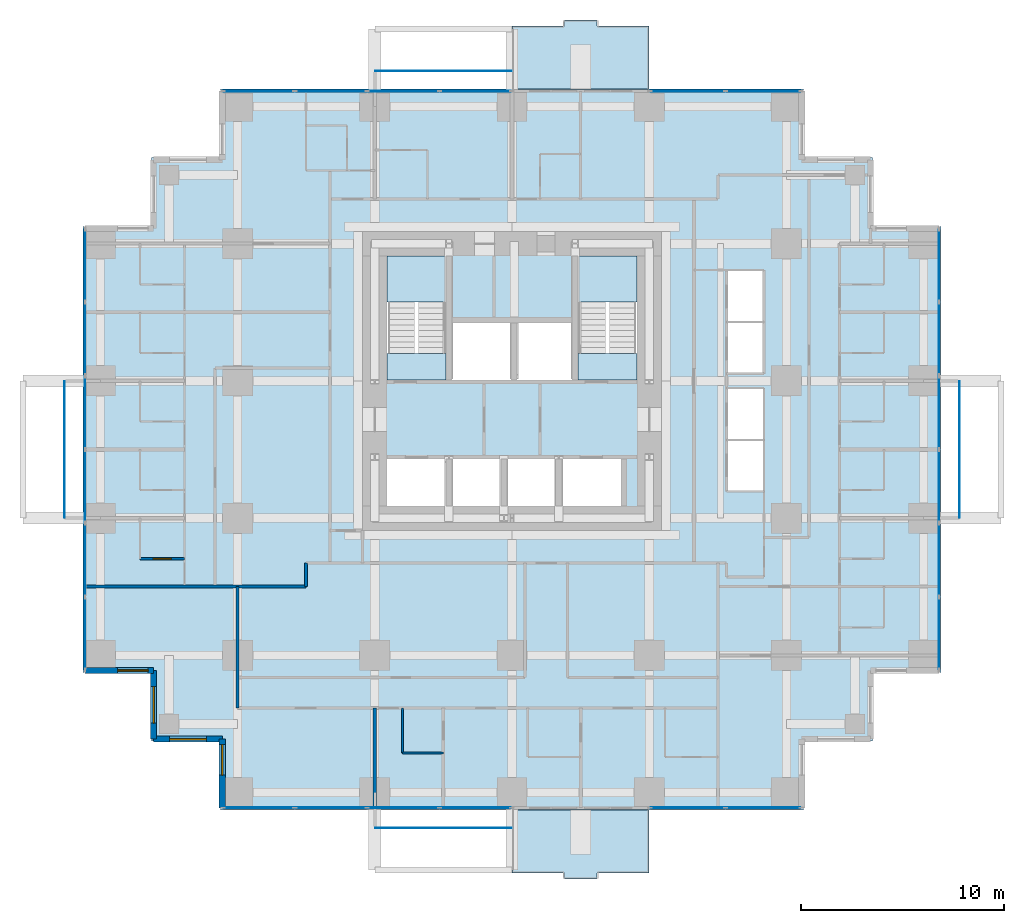
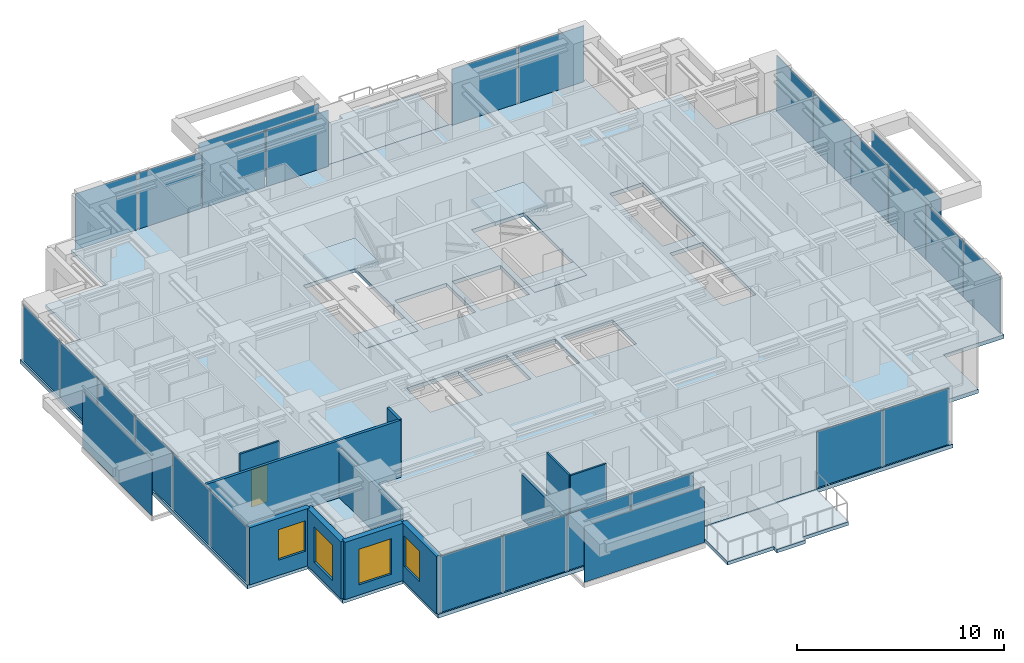
# One storey, part 6 of 12: 28 plates, 11 walls, 7 slabs, 4 windows, 1 door, 5 openings, 8 elements without a shape of their own.
"""IFC4 building model written with IfcOpenShell, lengths in metres."""

from ifc_helpers import new_model, si_unit, direction, frame, frame_2d, origin, origin_2d, place, context, subcontext, project, spatial, polyline, rectangle, outline, extrude, material, layer, layer_set, type_object, element, fill, aggregate, save


model = new_model("IFC4")

# Units and contexts
model_context = context("Model", 3, precision=1e-05, world=origin(), true_north=direction((0.0, 1.0)))
body_context = subcontext(model_context, "Body", "Model", "MODEL_VIEW")
ifc_project = project(units=[si_unit("LENGTHUNIT", "METRE"), si_unit("AREAUNIT", "SQUARE_METRE"), si_unit("VOLUMEUNIT", "CUBIC_METRE"), si_unit("PLANEANGLEUNIT", "RADIAN"), si_unit("MASSUNIT", "GRAM", prefix="KILO")], contexts=[model_context])

# Site, building, storey
site_placement = place(None, origin())
site = spatial("IfcSite", under=ifc_project, at=site_placement, CompositionType="ELEMENT")
building_placement = place(site_placement, origin())
building = spatial("IfcBuilding", under=site, at=building_placement, Name="Nyansa Garden Tower", CompositionType="ELEMENT")
storey_placement = place(building_placement, frame((0.0, 0.0, 126.89990234375)))
storey = spatial("IfcBuildingStorey", under=building, at=storey_placement, Name="L34", CompositionType="ELEMENT", Elevation=126.89990234375)

# Slabs
ifc_material_1 = material(Name="Concrete C40/50", Category="concrete")
ifc_layer_1 = layer(ifc_material_1, 0.199951171875)
ifc_layer_set_1 = layer_set([ifc_layer_1], Name="Balcony slab BS200")
slab_type_1 = type_object("IfcSlabType", Name="Balcony slab BS200", PredefinedType="FLOOR", material=ifc_layer_set_1)
slab_1_placement = place(storey_placement, frame((0.0, 0.0, -0.239990234375)))
element("IfcSlab", 1, at=slab_1_placement, inside=storey, type_object=slab_type_1, Name="Balcony L34 S", PredefinedType="FLOOR", context=body_context, shape_type="SweptSolid", body=[
    extrude(outline(polyline([(20.25, -0.85009765625), (27.0, -0.85009765625), (27.0, -3.949951171875), (24.425048828125, -3.949951171875), (24.425048828125, -4.25), (22.824951171875, -4.25), (22.824951171875, -3.949951171875), (20.25, -3.949951171875), (20.25, -0.85009765625)])), origin(), (0.0, 0.0, 1.0), 0.2001953125),
])
slab_2_placement = place(storey_placement, frame((0.0, 0.0, -0.239990234375)))
element("IfcSlab", 2, at=slab_2_placement, inside=storey, type_object=slab_type_1, Name="Balcony L34 N", PredefinedType="FLOOR", context=body_context, shape_type="SweptSolid", body=[
    extrude(outline(polyline([(20.25, 34.60009765625), (27.0, 34.60009765625), (27.0, 37.699951171875), (24.425048828125, 37.699951171875), (24.425048828125, 38.0), (22.824951171875, 38.0), (22.824951171875, 37.699951171875), (20.25, 37.699951171875), (20.25, 34.60009765625)])), origin(), (0.0, 0.0, 1.0), 0.2001953125),
])

# Curtain wall, plates
ifc_material_2 = material(Name="Black anodised aluminium, dark tinted double glazing", Category="aluminium")
curtain_wall_type = type_object("IfcCurtainWallType", Name="Inner skin curtain wall ISW-B", PredefinedType="USERDEFINED", material=ifc_material_2)
curtain_wall_1_placement = place(storey_placement, origin())
curtain_wall_1 = element("IfcCurtainWall", 3, at=curtain_wall_1_placement, inside=storey, type_object=curtain_wall_type, Name="Inner skin curtain wall L34 E", ObjectType="UNITISED CURTAIN WALL", PredefinedType="USERDEFINED")
ifc_material_3 = material(Name="Dark tinted laminated double glazing", Category="glass")
ifc_layer_2 = layer(ifc_material_3, 0.035888671875)
ifc_layer_set_2 = layer_set([ifc_layer_2], Name="Dark tinted vision panel VP-B")
plate_type_1 = type_object("IfcPlateType", Name="Dark tinted vision panel VP-B", PredefinedType="CURTAIN_PANEL", material=ifc_layer_set_2)
plate_1_placement = place(storey_placement, frame((41.25, 7.828857421875, 0.0), z_axis=(0.0, 0.0, 1.0), x_axis=(0.0, 1.0, 0.0)))
plate_1 = element("IfcPlate", 4, at=plate_1_placement, type_object=plate_type_1, Name="ISW-B panel 1", PredefinedType="CURTAIN_PANEL", context=body_context, shape_type="SweptSolid", body=[
    extrude(rectangle(XDim=3.527587890625, YDim=0.035888671875, at=origin_2d()), origin(), (0.0, 0.0, 1.0), 3.31005859375),
])
plate_2_placement = place(storey_placement, frame((41.25, 11.4375, 0.0), z_axis=(0.0, 0.0, 1.0), x_axis=(0.0, 1.0, 0.0)))
plate_2 = element("IfcPlate", 5, at=plate_2_placement, type_object=plate_type_1, Name="ISW-B panel 2", PredefinedType="CURTAIN_PANEL", context=body_context, shape_type="SweptSolid", body=[
    extrude(rectangle(XDim=3.56005859375, YDim=0.035888671875, at=origin_2d()), origin(), (0.0, 0.0, 1.0), 3.31005859375),
])
plate_3_placement = place(storey_placement, frame((41.25, 15.0625, 0.0), z_axis=(0.0, 0.0, 1.0), x_axis=(0.0, 1.0, 0.0)))
plate_3 = element("IfcPlate", 6, at=plate_3_placement, type_object=plate_type_1, Name="ISW-B panel 3", PredefinedType="CURTAIN_PANEL", context=body_context, shape_type="SweptSolid", body=[
    extrude(rectangle(XDim=3.56005859375, YDim=0.035888671875, at=origin_2d()), origin(), (0.0, 0.0, 1.0), 3.31005859375),
])
plate_4_placement = place(storey_placement, frame((41.25, 18.6875, 0.0), z_axis=(0.0, 0.0, 1.0), x_axis=(0.0, 1.0, 0.0)))
plate_4 = element("IfcPlate", 7, at=plate_4_placement, type_object=plate_type_1, Name="ISW-B panel 4", PredefinedType="CURTAIN_PANEL", context=body_context, shape_type="SweptSolid", body=[
    extrude(rectangle(XDim=3.56005859375, YDim=0.035888671875, at=origin_2d()), origin(), (0.0, 0.0, 1.0), 3.31005859375),
])
plate_5_placement = place(storey_placement, frame((41.25, 22.3125, 0.0), z_axis=(0.0, 0.0, 1.0), x_axis=(0.0, 1.0, 0.0)))
plate_5 = element("IfcPlate", 8, at=plate_5_placement, type_object=plate_type_1, Name="ISW-B panel 5", PredefinedType="CURTAIN_PANEL", context=body_context, shape_type="SweptSolid", body=[
    extrude(rectangle(XDim=3.56005859375, YDim=0.035888671875, at=origin_2d()), origin(), (0.0, 0.0, 1.0), 3.31005859375),
])
plate_6_placement = place(storey_placement, frame((41.25, 25.921142578125, 0.0), z_axis=(0.0, 0.0, 1.0), x_axis=(0.0, 1.0, 0.0)))
plate_6 = element("IfcPlate", 9, at=plate_6_placement, type_object=plate_type_1, Name="ISW-B panel 6", PredefinedType="CURTAIN_PANEL", context=body_context, shape_type="SweptSolid", body=[
    extrude(rectangle(XDim=3.527587890625, YDim=0.035888671875, at=origin_2d()), origin(), (0.0, 0.0, 1.0), 3.31005859375),
])
aggregate(curtain_wall_1, [plate_1, plate_2, plate_3, plate_4, plate_5, plate_6])

curtain_wall_2_placement = place(storey_placement, origin())
curtain_wall_2 = element("IfcCurtainWall", 10, at=curtain_wall_2_placement, inside=storey, type_object=curtain_wall_type, Name="Inner skin curtain wall L34 N", ObjectType="UNITISED CURTAIN WALL", PredefinedType="USERDEFINED")
plate_7_placement = place(storey_placement, frame((18.452392578125, 34.5, 0.0), z_axis=(0.0, 0.0, 1.0), x_axis=(-1.0, 0.0, 0.0)))
plate_7 = element("IfcPlate", 11, at=plate_7_placement, type_object=plate_type_1, Name="ISW-B panel 1", PredefinedType="CURTAIN_PANEL", context=body_context, shape_type="SweptSolid", body=[
    extrude(rectangle(XDim=3.465087890625, YDim=0.035888671875, at=origin_2d()), origin(), (0.0, 0.0, 1.0), 3.31005859375),
])
plate_8_placement = place(storey_placement, frame((14.90625, 34.5, 0.0), z_axis=(0.0, 0.0, 1.0), x_axis=(-1.0, 0.0, 0.0)))
plate_8 = element("IfcPlate", 12, at=plate_8_placement, type_object=plate_type_1, Name="ISW-B panel 2", PredefinedType="CURTAIN_PANEL", context=body_context, shape_type="SweptSolid", body=[
    extrude(rectangle(XDim=3.49755859375, YDim=0.035888671875, at=origin_2d()), origin(), (0.0, 0.0, 1.0), 3.31005859375),
])
plate_9_placement = place(storey_placement, frame((11.34375, 34.5, 0.0), z_axis=(0.0, 0.0, 1.0), x_axis=(-1.0, 0.0, 0.0)))
plate_9 = element("IfcPlate", 13, at=plate_9_placement, type_object=plate_type_1, Name="ISW-B panel 3", PredefinedType="CURTAIN_PANEL", context=body_context, shape_type="SweptSolid", body=[
    extrude(rectangle(XDim=3.49755859375, YDim=0.035888671875, at=origin_2d()), origin(), (0.0, 0.0, 1.0), 3.31005859375),
])
plate_10_placement = place(storey_placement, frame((7.797607421875, 34.5, 0.0), z_axis=(0.0, 0.0, 1.0), x_axis=(-1.0, 0.0, 0.0)))
plate_10 = element("IfcPlate", 14, at=plate_10_placement, type_object=plate_type_1, Name="ISW-B panel 4", PredefinedType="CURTAIN_PANEL", context=body_context, shape_type="SweptSolid", body=[
    extrude(rectangle(XDim=3.465087890625, YDim=0.035888671875, at=origin_2d()), origin(), (0.0, 0.0, 1.0), 3.31005859375),
])
aggregate(curtain_wall_2, [plate_7, plate_8, plate_9, plate_10])

curtain_wall_3_placement = place(storey_placement, origin())
curtain_wall_3 = element("IfcCurtainWall", 15, at=curtain_wall_3_placement, inside=storey, type_object=curtain_wall_type, Name="Inner skin curtain wall L34 N", ObjectType="UNITISED CURTAIN WALL", PredefinedType="USERDEFINED")
plate_11_placement = place(storey_placement, frame((32.608642578125, 34.5, 0.0), z_axis=(0.0, 0.0, 1.0), x_axis=(-1.0, 0.0, 0.0)))
plate_11 = element("IfcPlate", 16, at=plate_11_placement, type_object=plate_type_1, Name="ISW-B panel 1", PredefinedType="CURTAIN_PANEL", context=body_context, shape_type="SweptSolid", body=[
    extrude(rectangle(XDim=3.652587890625, YDim=0.035888671875, at=origin_2d()), origin(), (0.0, 0.0, 1.0), 3.31005859375),
])
plate_12_placement = place(storey_placement, frame((28.891357421875, 34.5, 0.0), z_axis=(0.0, 0.0, 1.0), x_axis=(-1.0, 0.0, 0.0)))
plate_12 = element("IfcPlate", 17, at=plate_12_placement, type_object=plate_type_1, Name="ISW-B panel 2", PredefinedType="CURTAIN_PANEL", context=body_context, shape_type="SweptSolid", body=[
    extrude(rectangle(XDim=3.652587890625, YDim=0.035888671875, at=origin_2d()), origin(), (0.0, 0.0, 1.0), 3.31005859375),
])
aggregate(curtain_wall_3, [plate_11, plate_12])

curtain_wall_4_placement = place(storey_placement, origin())
curtain_wall_4 = element("IfcCurtainWall", 18, at=curtain_wall_4_placement, inside=storey, type_object=curtain_wall_type, Name="Inner skin curtain wall L34 W", ObjectType="UNITISED CURTAIN WALL", PredefinedType="USERDEFINED")
plate_13_placement = place(storey_placement, frame((-0.75, 25.921142578125, 0.0), z_axis=(0.0, 0.0, 1.0), x_axis=(0.0, -1.0, 0.0)))
plate_13 = element("IfcPlate", 19, at=plate_13_placement, type_object=plate_type_1, Name="ISW-B panel 1", PredefinedType="CURTAIN_PANEL", context=body_context, shape_type="SweptSolid", body=[
    extrude(rectangle(XDim=3.527587890625, YDim=0.035888671875, at=origin_2d()), origin(), (0.0, 0.0, 1.0), 3.31005859375),
])
plate_14_placement = place(storey_placement, frame((-0.75, 22.3125, 0.0), z_axis=(0.0, 0.0, 1.0), x_axis=(0.0, -1.0, 0.0)))
plate_14 = element("IfcPlate", 20, at=plate_14_placement, type_object=plate_type_1, Name="ISW-B panel 2", PredefinedType="CURTAIN_PANEL", context=body_context, shape_type="SweptSolid", body=[
    extrude(rectangle(XDim=3.56005859375, YDim=0.035888671875, at=origin_2d()), origin(), (0.0, 0.0, 1.0), 3.31005859375),
])
plate_15_placement = place(storey_placement, frame((-0.75, 18.6875, 0.0), z_axis=(0.0, 0.0, 1.0), x_axis=(0.0, -1.0, 0.0)))
plate_15 = element("IfcPlate", 21, at=plate_15_placement, type_object=plate_type_1, Name="ISW-B panel 3", PredefinedType="CURTAIN_PANEL", context=body_context, shape_type="SweptSolid", body=[
    extrude(rectangle(XDim=3.56005859375, YDim=0.035888671875, at=origin_2d()), origin(), (0.0, 0.0, 1.0), 3.31005859375),
])
plate_16_placement = place(storey_placement, frame((-0.75, 15.0625, 0.0), z_axis=(0.0, 0.0, 1.0), x_axis=(0.0, -1.0, 0.0)))
plate_16 = element("IfcPlate", 22, at=plate_16_placement, type_object=plate_type_1, Name="ISW-B panel 4", PredefinedType="CURTAIN_PANEL", context=body_context, shape_type="SweptSolid", body=[
    extrude(rectangle(XDim=3.56005859375, YDim=0.035888671875, at=origin_2d()), origin(), (0.0, 0.0, 1.0), 3.31005859375),
])
plate_17_placement = place(storey_placement, frame((-0.75, 11.4375, 0.0), z_axis=(0.0, 0.0, 1.0), x_axis=(0.0, -1.0, 0.0)))
plate_17 = element("IfcPlate", 23, at=plate_17_placement, type_object=plate_type_1, Name="ISW-B panel 5", PredefinedType="CURTAIN_PANEL", context=body_context, shape_type="SweptSolid", body=[
    extrude(rectangle(XDim=3.56005859375, YDim=0.035888671875, at=origin_2d()), origin(), (0.0, 0.0, 1.0), 3.31005859375),
])
plate_18_placement = place(storey_placement, frame((-0.75, 7.828857421875, 0.0), z_axis=(0.0, 0.0, 1.0), x_axis=(0.0, -1.0, 0.0)))
plate_18 = element("IfcPlate", 24, at=plate_18_placement, type_object=plate_type_1, Name="ISW-B panel 6", PredefinedType="CURTAIN_PANEL", context=body_context, shape_type="SweptSolid", body=[
    extrude(rectangle(XDim=3.527587890625, YDim=0.035888671875, at=origin_2d()), origin(), (0.0, 0.0, 1.0), 3.31005859375),
])
aggregate(curtain_wall_4, [plate_13, plate_14, plate_15, plate_16, plate_17, plate_18])

curtain_wall_5_placement = place(storey_placement, origin())
curtain_wall_5 = element("IfcCurtainWall", 25, at=curtain_wall_5_placement, inside=storey, type_object=curtain_wall_type, Name="Inner skin curtain wall L34 S", ObjectType="UNITISED CURTAIN WALL", PredefinedType="USERDEFINED")
plate_19_placement = place(storey_placement, frame((7.797607421875, -0.75, 0.0), z_axis=(0.0, 0.0, 1.0), x_axis=(1.0, 0.0, 0.0)))
plate_19 = element("IfcPlate", 26, at=plate_19_placement, type_object=plate_type_1, Name="ISW-B panel 1", PredefinedType="CURTAIN_PANEL", context=body_context, shape_type="SweptSolid", body=[
    extrude(rectangle(XDim=3.465087890625, YDim=0.035888671875, at=origin_2d()), origin(), (0.0, 0.0, 1.0), 3.31005859375),
])
plate_20_placement = place(storey_placement, frame((11.34375, -0.75, 0.0), z_axis=(0.0, 0.0, 1.0), x_axis=(1.0, 0.0, 0.0)))
plate_20 = element("IfcPlate", 27, at=plate_20_placement, type_object=plate_type_1, Name="ISW-B panel 2", PredefinedType="CURTAIN_PANEL", context=body_context, shape_type="SweptSolid", body=[
    extrude(rectangle(XDim=3.49755859375, YDim=0.035888671875, at=origin_2d()), origin(), (0.0, 0.0, 1.0), 3.31005859375),
])
plate_21_placement = place(storey_placement, frame((14.90625, -0.75, 0.0), z_axis=(0.0, 0.0, 1.0), x_axis=(1.0, 0.0, 0.0)))
plate_21 = element("IfcPlate", 28, at=plate_21_placement, type_object=plate_type_1, Name="ISW-B panel 3", PredefinedType="CURTAIN_PANEL", context=body_context, shape_type="SweptSolid", body=[
    extrude(rectangle(XDim=3.49755859375, YDim=0.035888671875, at=origin_2d()), origin(), (0.0, 0.0, 1.0), 3.31005859375),
])
plate_22_placement = place(storey_placement, frame((18.452392578125, -0.75, 0.0), z_axis=(0.0, 0.0, 1.0), x_axis=(1.0, 0.0, 0.0)))
plate_22 = element("IfcPlate", 29, at=plate_22_placement, type_object=plate_type_1, Name="ISW-B panel 4", PredefinedType="CURTAIN_PANEL", context=body_context, shape_type="SweptSolid", body=[
    extrude(rectangle(XDim=3.465087890625, YDim=0.035888671875, at=origin_2d()), origin(), (0.0, 0.0, 1.0), 3.31005859375),
])
aggregate(curtain_wall_5, [plate_19, plate_20, plate_21, plate_22])

curtain_wall_6_placement = place(storey_placement, origin())
curtain_wall_6 = element("IfcCurtainWall", 30, at=curtain_wall_6_placement, inside=storey, type_object=curtain_wall_type, Name="Inner skin curtain wall L34 S", ObjectType="UNITISED CURTAIN WALL", PredefinedType="USERDEFINED")
plate_23_placement = place(storey_placement, frame((28.891357421875, -0.75, 0.0), z_axis=(0.0, 0.0, 1.0), x_axis=(1.0, 0.0, 0.0)))
plate_23 = element("IfcPlate", 31, at=plate_23_placement, type_object=plate_type_1, Name="ISW-B panel 1", PredefinedType="CURTAIN_PANEL", context=body_context, shape_type="SweptSolid", body=[
    extrude(rectangle(XDim=3.652587890625, YDim=0.035888671875, at=origin_2d()), origin(), (0.0, 0.0, 1.0), 3.31005859375),
])
plate_24_placement = place(storey_placement, frame((32.608642578125, -0.75, 0.0), z_axis=(0.0, 0.0, 1.0), x_axis=(1.0, 0.0, 0.0)))
plate_24 = element("IfcPlate", 32, at=plate_24_placement, type_object=plate_type_1, Name="ISW-B panel 2", PredefinedType="CURTAIN_PANEL", context=body_context, shape_type="SweptSolid", body=[
    extrude(rectangle(XDim=3.652587890625, YDim=0.035888671875, at=origin_2d()), origin(), (0.0, 0.0, 1.0), 3.31005859375),
])
aggregate(curtain_wall_6, [plate_23, plate_24])

# Slab
ifc_material_4 = material(Name="Concrete C40/50", Category="concrete")
ifc_layer_3 = layer(ifc_material_4, 0.22509765625)
ifc_layer_set_3 = layer_set([ifc_layer_3], Name="Floor slab FS225")
slab_type_2 = type_object("IfcSlabType", Name="Floor slab FS225", PredefinedType="FLOOR", material=ifc_layer_set_3)
slab_3_placement = place(storey_placement, frame((0.0, 0.0, -0.224853515625)))
element("IfcSlab", 33, at=slab_3_placement, inside=storey, type_object=slab_type_2, Name="Floor slab L34", PredefinedType="FLOOR", context=body_context, shape_type="SweptSolid", body=[
    extrude(outline(polyline([(41.35009765625, 5.89990234375), (37.97509765625, 5.89990234375), (37.97509765625, 2.52490234375), (34.60009765625, 2.52490234375), (34.60009765625, -0.85009765625), (5.89990234375, -0.85009765625), (5.89990234375, 2.52490234375), (2.52490234375, 2.52490234375), (2.52490234375, 5.89990234375), (-0.85009765625, 5.89990234375), (-0.85009765625, 27.85009765625), (2.52490234375, 27.85009765625), (2.52490234375, 31.22509765625), (5.89990234375, 31.22509765625), (5.89990234375, 34.60009765625), (34.60009765625, 34.60009765625), (34.60009765625, 31.22509765625), (37.97509765625, 31.22509765625), (37.97509765625, 27.85009765625), (41.35009765625, 27.85009765625), (41.35009765625, 5.89990234375)]), holes=[polyline([(14.10009765625, 14.10009765625), (17.0, 14.10009765625), (17.0, 16.39990234375), (14.10009765625, 16.39990234375), (14.10009765625, 14.10009765625)]), polyline([(17.300048828125, 14.10009765625), (19.699951171875, 14.10009765625), (19.699951171875, 16.39990234375), (17.300048828125, 16.39990234375), (17.300048828125, 14.10009765625)]), polyline([(20.0, 14.10009765625), (22.39990234375, 14.10009765625), (22.39990234375, 16.39990234375), (20.0, 16.39990234375), (20.0, 14.10009765625)]), polyline([(22.699951171875, 14.10009765625), (25.60009765625, 14.10009765625), (25.60009765625, 16.39990234375), (22.699951171875, 16.39990234375), (22.699951171875, 14.10009765625)]), polyline([(17.300048828125, 20.300048828125), (20.199951171875, 20.300048828125), (20.199951171875, 23.10009765625), (17.300048828125, 23.10009765625), (17.300048828125, 20.300048828125)]), polyline([(20.5, 20.300048828125), (23.199951171875, 20.300048828125), (23.199951171875, 23.10009765625), (20.5, 23.10009765625), (20.5, 20.300048828125)]), polyline([(30.800048828125, 14.800048828125), (32.64990234375, 14.800048828125), (32.64990234375, 19.89990234375), (30.800048828125, 19.89990234375), (30.800048828125, 14.800048828125)]), polyline([(30.800048828125, 20.60009765625), (32.64990234375, 20.60009765625), (32.64990234375, 25.699951171875), (30.800048828125, 25.699951171875), (30.800048828125, 20.60009765625)]), polyline([(14.10009765625, 20.300048828125), (17.0, 20.300048828125), (17.0, 26.39990234375), (14.10009765625, 26.39990234375), (14.10009765625, 20.300048828125)]), polyline([(23.5, 20.300048828125), (26.39990234375, 20.300048828125), (26.39990234375, 26.39990234375), (23.5, 26.39990234375), (23.5, 20.300048828125)])]), origin(), (0.0, 0.0, 1.0), 0.224853515625),
])

# Plates
ifc_material_5 = material(Name="Dark tinted laminated glass", Category="glass")
ifc_layer_4 = layer(ifc_material_5, 0.02392578125)
ifc_layer_set_4 = layer_set([ifc_layer_4], Name="Outer skin glass panel OS1")
plate_type_2 = type_object("IfcPlateType", Name="Outer skin glass panel OS1", PredefinedType="USERDEFINED", material=ifc_layer_set_4)
for number, where, z_axis, x_axis, name in (
    (34, (42.25, 16.875, -0.22509765625), (0.0, 0.0, 1.0), (0.0, 1.0, 0.0), "Outer skin glass panel L34"),
    (35, (16.875, 35.5, -0.22509765625), (0.0, 0.0, 1.0), (1.0, 0.0, 0.0), "Outer skin glass panel L34"),
    (36, (-1.75, 16.875, -0.22509765625), (0.0, 0.0, 1.0), (0.0, 1.0, 0.0), "Outer skin glass panel L34"),
    (37, (16.875, -1.75, -0.22509765625), (0.0, 0.0, 1.0), (1.0, 0.0, 0.0), "Outer skin glass panel L34"),
):
    element("IfcPlate", number, at=place(storey_placement, frame(where, z_axis=z_axis, x_axis=x_axis)), inside=storey, type_object=plate_type_2, Name=name, ObjectType="OUTER SKIN GLASS", PredefinedType="USERDEFINED", context=body_context, shape_type="SweptSolid", body=[
        extrude(rectangle(XDim=6.7099609375, YDim=0.02392578125, at=origin_2d()), origin(), (0.0, 0.0, 1.0), 3.300048828125),
    ])

# Stair, slabs
ifc_material_6 = material(Name="Precast concrete C40/50", Category="concrete")
stair_type_1 = type_object("IfcStairType", Name="Stair S1 180x280", PredefinedType="HALF_TURN_STAIR", material=ifc_material_6)
stair_1_placement = place(storey_placement, origin())
stair_1 = element("IfcStair", 38, at=stair_1_placement, inside=storey, type_object=stair_type_1, Name="Stair S1 L34", PredefinedType="HALF_TURN_STAIR")
ifc_material_7 = material(Name="Concrete C40/50", Category="concrete")
ifc_layer_5 = layer(ifc_material_7, 0.199951171875)
ifc_layer_set_5 = layer_set([ifc_layer_5], Name="Stair landing SL200")
slab_type_3 = type_object("IfcSlabType", Name="Stair landing SL200", PredefinedType="LANDING", material=ifc_layer_set_5)
slab_4_placement = place(storey_placement, frame((0.0, 0.0, -0.199951171875)))
slab_4 = element("IfcSlab", 39, at=slab_4_placement, type_object=slab_type_3, Name="S1 landing 1", PredefinedType="LANDING", context=body_context, shape_type="SweptSolid", body=[
    extrude(outline(polyline([(14.10009765625, 20.300048828125), (17.0, 20.300048828125), (17.0, 21.60009765625), (14.10009765625, 21.60009765625), (14.10009765625, 20.300048828125)])), origin(), (0.0, 0.0, 1.0), 0.199951171875),
])
slab_5_placement = place(storey_placement, frame((0.0, 0.0, 1.60009765625)))
slab_5 = element("IfcSlab", 40, at=slab_5_placement, type_object=slab_type_3, Name="S1 landing 2", PredefinedType="LANDING", context=body_context, shape_type="SweptSolid", body=[
    extrude(outline(polyline([(14.10009765625, 24.1201171875), (17.0, 24.1201171875), (17.0, 26.39990234375), (14.10009765625, 26.39990234375), (14.10009765625, 24.1201171875)])), origin(), (0.0, 0.0, 1.0), 0.199951171875),
])
aggregate(stair_1, [slab_4, slab_5])

ifc_material_8 = material(Name="Precast concrete C40/50", Category="concrete")
stair_type_2 = type_object("IfcStairType", Name="Stair S2 180x280", PredefinedType="HALF_TURN_STAIR", material=ifc_material_8)
stair_2_placement = place(storey_placement, origin())
stair_2 = element("IfcStair", 41, at=stair_2_placement, inside=storey, type_object=stair_type_2, Name="Stair S2 L34", PredefinedType="HALF_TURN_STAIR")
slab_6_placement = place(storey_placement, frame((0.0, 0.0, -0.199951171875)))
slab_6 = element("IfcSlab", 42, at=slab_6_placement, type_object=slab_type_3, Name="S2 landing 1", PredefinedType="LANDING", context=body_context, shape_type="SweptSolid", body=[
    extrude(outline(polyline([(23.5, 20.300048828125), (26.39990234375, 20.300048828125), (26.39990234375, 21.60009765625), (23.5, 21.60009765625), (23.5, 20.300048828125)])), origin(), (0.0, 0.0, 1.0), 0.199951171875),
])
slab_7_placement = place(storey_placement, frame((0.0, 0.0, 1.60009765625)))
slab_7 = element("IfcSlab", 43, at=slab_7_placement, type_object=slab_type_3, Name="S2 landing 2", PredefinedType="LANDING", context=body_context, shape_type="SweptSolid", body=[
    extrude(outline(polyline([(23.5, 24.1201171875), (26.39990234375, 24.1201171875), (26.39990234375, 26.39990234375), (23.5, 26.39990234375), (23.5, 24.1201171875)])), origin(), (0.0, 0.0, 1.0), 0.199951171875),
])
aggregate(stair_2, [slab_6, slab_7])

# Walls
ifc_material_9 = material(Name="Blockwork, plastered both sides", Category="masonry")
ifc_layer_6 = layer(ifc_material_9, 0.14990234375)
ifc_layer_set_6 = layer_set([ifc_layer_6], Name="Partition PW150")
wall_type_1 = type_object("IfcWallType", Name="Partition PW150", PredefinedType="PARTITIONING", material=ifc_layer_set_6)
wall_1_placement = place(storey_placement, frame((-0.73388671875, 10.125, 0.0), z_axis=(0.0, 0.0, 1.0), x_axis=(1.0, 0.0, 0.0)))
element("IfcWall", 44, at=wall_1_placement, inside=storey, type_object=wall_type_1, Name="Partition", PredefinedType="PARTITIONING", context=body_context, shape_type="SweptSolid", body=[
    extrude(rectangle(XDim=10.85888671875, YDim=0.14990234375, at=frame_2d((5.429443359375, 0.0))), origin(), (0.0, 0.0, 1.0), 3.375),
])
wall_2_placement = place(storey_placement, frame((6.75, 4.14990234375, 0.0), z_axis=(0.0, 0.0, 1.0), x_axis=(0.0, 1.0, 0.0)))
element("IfcWall", 45, at=wall_2_placement, inside=storey, type_object=wall_type_1, Name="Partition", PredefinedType="PARTITIONING", context=body_context, shape_type="SweptSolid", body=[
    extrude(rectangle(XDim=5.97509765625, YDim=0.14990234375, at=frame_2d((2.987548828125, 0.0))), origin(), (0.0, 0.0, 1.0), 2.877197265625),
])
wall_3_placement = place(storey_placement, frame((10.125, 10.125, 0.0), z_axis=(0.0, 0.0, 1.0), x_axis=(0.0, 1.0, 0.0)))
element("IfcWall", 46, at=wall_3_placement, inside=storey, type_object=wall_type_1, Name="Partition", PredefinedType="PARTITIONING", context=body_context, shape_type="SweptSolid", body=[
    extrude(rectangle(XDim=1.175048828125, YDim=0.14990234375, at=frame_2d((0.58740234375, 0.0))), origin(), (0.0, 0.0, 1.0), 3.375),
])
wall_4_placement = place(storey_placement, frame((13.5, -0.73388671875, 0.0), z_axis=(0.0, 0.0, 1.0), x_axis=(0.0, 1.0, 0.0)))
element("IfcWall", 47, at=wall_4_placement, inside=storey, type_object=wall_type_1, Name="Partition", PredefinedType="PARTITIONING", context=body_context, shape_type="SweptSolid", body=[
    extrude(rectangle(XDim=4.8837890625, YDim=0.14990234375, at=frame_2d((2.44189453125, 0.0))), origin(), (0.0, 0.0, 1.0), 2.610107421875),
])

# Wall, opening, window
ifc_material_10 = material(Name="Turquoise glazed tile on concrete blockwork", Category="masonry")
ifc_layer_7 = layer(ifc_material_10, 0.300048828125)
ifc_layer_set_7 = layer_set([ifc_layer_7], Name="Tiled corner wall TW300")
wall_type_2 = type_object("IfcWallType", Name="Tiled corner wall TW300", PredefinedType="SOLIDWALL", material=ifc_layer_set_7)
wall_5_placement = place(storey_placement, frame((-0.75, 6.0, 0.0), z_axis=(0.0, 0.0, 1.0), x_axis=(1.0, 0.0, 0.0)))
wall_5 = element("IfcWall", 48, at=wall_5_placement, inside=storey, type_object=wall_type_2, Name="Tiled corner wall L34", PredefinedType="SOLIDWALL", context=body_context, shape_type="SweptSolid", body=[
    extrude(rectangle(XDim=3.375, YDim=0.300048828125, at=frame_2d((1.6875, 0.0))), origin(), (0.0, 0.0, 1.0), 3.375),
])
opening_1_placement = place(wall_5_placement, frame((1.607421875, 0.0, 0.89990234375)))
opening_1 = element("IfcOpeningElement", 49, at=opening_1_placement, cuts=wall_5, Name="Opening W1", PredefinedType="OPENING", context=body_context, shape_type="SweptSolid", body=[
    extrude(rectangle(XDim=1.5, YDim=1.800048828125, at=frame_2d((0.75, 0.89990234375))), frame((0.0, 0.159912109375, 0.0), z_axis=(0.0, -1.0, 0.0), x_axis=(1.0, 0.0, 0.0)), (0.0, 0.0, 1.0), 0.320068359375),
])
ifc_material_11 = material(Name="Black aluminium frame, dark tinted double glazing", Category="aluminium")
window_type_1 = type_object("IfcWindowType", Name="Window W1 1500x1800", PartitioningType="SINGLE_PANEL", PredefinedType="WINDOW", material=ifc_material_11)
window_1_placement = place(opening_1_placement, origin())
window_1 = element("IfcWindow", 50, at=window_1_placement, inside=storey, type_object=window_type_1, Name="Corner window L34", OverallHeight=1.800048828125, OverallWidth=1.5, PartitioningType="SINGLE_PANEL", PredefinedType="WINDOW", context=body_context, shape_type="SweptSolid", body=[
    extrude(rectangle(XDim=1.5, YDim=1.800048828125, at=frame_2d((0.75, 0.89990234375))), frame((0.0, 0.030029296875, 0.0), z_axis=(0.0, -1.0, 0.0), x_axis=(1.0, 0.0, 0.0)), (0.0, 0.0, 1.0), 0.06005859375),
])
fill(opening_1, window_1)

wall_6_placement = place(storey_placement, frame((2.625, 6.0, 0.0), z_axis=(0.0, 0.0, 1.0), x_axis=(0.0, -1.0, 0.0)))
wall_6 = element("IfcWall", 51, at=wall_6_placement, inside=storey, type_object=wall_type_2, Name="Tiled corner wall L34", PredefinedType="SOLIDWALL", context=body_context, shape_type="SweptSolid", body=[
    extrude(rectangle(XDim=3.375, YDim=0.300048828125, at=frame_2d((1.6875, 0.0))), origin(), (0.0, 0.0, 1.0), 3.375),
])
opening_2_placement = place(wall_6_placement, frame((0.78759765625, 0.0, 0.60009765625)))
opening_2 = element("IfcOpeningElement", 52, at=opening_2_placement, cuts=wall_6, Name="Opening W2", PredefinedType="OPENING", context=body_context, shape_type="SweptSolid", body=[
    extrude(rectangle(XDim=1.800048828125, YDim=2.10009765625, at=frame_2d((0.89990234375, 1.050048828125))), frame((0.0, 0.159912109375, 0.0), z_axis=(0.0, -1.0, 0.0), x_axis=(1.0, 0.0, 0.0)), (0.0, 0.0, 1.0), 0.320068359375),
])
ifc_material_12 = material(Name="Black aluminium frame, dark tinted double glazing", Category="aluminium")
window_type_2 = type_object("IfcWindowType", Name="Window W2 1800x2100", PartitioningType="SINGLE_PANEL", PredefinedType="WINDOW", material=ifc_material_12)
window_2_placement = place(opening_2_placement, origin())
window_2 = element("IfcWindow", 53, at=window_2_placement, inside=storey, type_object=window_type_2, Name="Corner window L34", OverallHeight=2.10009765625, OverallWidth=1.800048828125, PartitioningType="SINGLE_PANEL", PredefinedType="WINDOW", context=body_context, shape_type="SweptSolid", body=[
    extrude(rectangle(XDim=1.800048828125, YDim=2.10009765625, at=frame_2d((0.89990234375, 1.050048828125))), frame((0.0, 0.030029296875, 0.0), z_axis=(0.0, -1.0, 0.0), x_axis=(1.0, 0.0, 0.0)), (0.0, 0.0, 1.0), 0.06005859375),
])
fill(opening_2, window_2)

wall_7_placement = place(storey_placement, frame((2.625, 2.625, 0.0), z_axis=(0.0, 0.0, 1.0), x_axis=(1.0, 0.0, 0.0)))
wall_7 = element("IfcWall", 54, at=wall_7_placement, inside=storey, type_object=wall_type_2, Name="Tiled corner wall L34", PredefinedType="SOLIDWALL", context=body_context, shape_type="SweptSolid", body=[
    extrude(rectangle(XDim=3.375, YDim=0.300048828125, at=frame_2d((1.6875, 0.0))), origin(), (0.0, 0.0, 1.0), 3.375),
])
opening_3_placement = place(wall_7_placement, frame((0.78759765625, 0.0, 0.60009765625)))
opening_3 = element("IfcOpeningElement", 55, at=opening_3_placement, cuts=wall_7, Name="Opening W2", PredefinedType="OPENING", context=body_context, shape_type="SweptSolid", body=[
    extrude(rectangle(XDim=1.800048828125, YDim=2.10009765625, at=frame_2d((0.89990234375, 1.050048828125))), frame((0.0, 0.159912109375, 0.0), z_axis=(0.0, -1.0, 0.0), x_axis=(1.0, 0.0, 0.0)), (0.0, 0.0, 1.0), 0.320068359375),
])
window_3_placement = place(opening_3_placement, origin())
window_3 = element("IfcWindow", 56, at=window_3_placement, inside=storey, type_object=window_type_2, Name="Corner window L34", OverallHeight=2.10009765625, OverallWidth=1.800048828125, PartitioningType="SINGLE_PANEL", PredefinedType="WINDOW", context=body_context, shape_type="SweptSolid", body=[
    extrude(rectangle(XDim=1.800048828125, YDim=2.10009765625, at=frame_2d((0.89990234375, 1.050048828125))), frame((0.0, 0.030029296875, 0.0), z_axis=(0.0, -1.0, 0.0), x_axis=(1.0, 0.0, 0.0)), (0.0, 0.0, 1.0), 0.06005859375),
])
fill(opening_3, window_3)

wall_8_placement = place(storey_placement, frame((6.0, 2.625, 0.0), z_axis=(0.0, 0.0, 1.0), x_axis=(0.0, -1.0, 0.0)))
wall_8 = element("IfcWall", 57, at=wall_8_placement, inside=storey, type_object=wall_type_2, Name="Tiled corner wall L34", PredefinedType="SOLIDWALL", context=body_context, shape_type="SweptSolid", body=[
    extrude(rectangle(XDim=3.375, YDim=0.300048828125, at=frame_2d((1.6875, 0.0))), origin(), (0.0, 0.0, 1.0), 3.375),
])
opening_4_placement = place(wall_8_placement, frame((0.267578125, 0.0, 0.89990234375)))
opening_4 = element("IfcOpeningElement", 58, at=opening_4_placement, cuts=wall_8, Name="Opening W1", PredefinedType="OPENING", context=body_context, shape_type="SweptSolid", body=[
    extrude(rectangle(XDim=1.5, YDim=1.800048828125, at=frame_2d((0.75, 0.89990234375))), frame((0.0, 0.159912109375, 0.0), z_axis=(0.0, -1.0, 0.0), x_axis=(1.0, 0.0, 0.0)), (0.0, 0.0, 1.0), 0.320068359375),
])
window_4_placement = place(opening_4_placement, origin())
window_4 = element("IfcWindow", 59, at=window_4_placement, inside=storey, type_object=window_type_1, Name="Corner window L34", OverallHeight=1.800048828125, OverallWidth=1.5, PartitioningType="SINGLE_PANEL", PredefinedType="WINDOW", context=body_context, shape_type="SweptSolid", body=[
    extrude(rectangle(XDim=1.5, YDim=1.800048828125, at=frame_2d((0.75, 0.89990234375))), frame((0.0, 0.030029296875, 0.0), z_axis=(0.0, -1.0, 0.0), x_axis=(1.0, 0.0, 0.0)), (0.0, 0.0, 1.0), 0.06005859375),
])
fill(opening_4, window_4)

# Wall, opening, door
ifc_material_13 = material(Name="Moisture resistant board on steel studs, tiled", Category="steel")
ifc_layer_8 = layer(ifc_material_13, 0.10009765625)
ifc_layer_set_8 = layer_set([ifc_layer_8], Name="Wet wall PW100")
wall_type_3 = type_object("IfcWallType", Name="Wet wall PW100", PredefinedType="PARTITIONING", material=ifc_layer_set_8)
wall_9_placement = place(storey_placement, frame((1.949951171875, 11.5, 0.0), z_axis=(0.0, 0.0, 1.0), x_axis=(1.0, 0.0, 0.0)))
wall_9 = element("IfcWall", 60, at=wall_9_placement, inside=storey, type_object=wall_type_3, Name="Wet wall", PredefinedType="PARTITIONING", context=body_context, shape_type="SweptSolid", body=[
    extrude(rectangle(XDim=2.199951171875, YDim=0.10009765625, at=frame_2d((1.10009765625, 0.0))), origin(), (0.0, 0.0, 1.0), 3.375),
])
opening_5_placement = place(wall_9_placement, frame((0.64990234375, 0.0, 0.0)))
opening_5 = element("IfcOpeningElement", 61, at=opening_5_placement, cuts=wall_9, Name="Opening D02", PredefinedType="OPENING", context=body_context, shape_type="SweptSolid", body=[
    extrude(rectangle(XDim=0.89990234375, YDim=2.199951171875, at=frame_2d((0.449951171875, 1.10009765625))), frame((0.0, 0.06005859375, 0.0), z_axis=(0.0, -1.0, 0.0), x_axis=(1.0, 0.0, 0.0)), (0.0, 0.0, 1.0), 0.1201171875),
])
ifc_material_14 = material(Name="Timber flush door", Category="wood")
door_type = type_object("IfcDoorType", Name="En-suite door D02 900x2200", OperationType="SINGLE_SWING_RIGHT", PredefinedType="DOOR", material=ifc_material_14)
door_placement = place(opening_5_placement, origin())
door = element("IfcDoor", 62, at=door_placement, inside=storey, type_object=door_type, Name="Door L34-056", OperationType="SINGLE_SWING_RIGHT", OverallHeight=2.199951171875, OverallWidth=0.89990234375, PredefinedType="DOOR", context=body_context, shape_type="SweptSolid", body=[
    extrude(rectangle(XDim=0.89990234375, YDim=2.199951171875, at=frame_2d((0.449951171875, 1.10009765625))), frame((0.0, 0.02490234375, 0.0), z_axis=(0.0, -1.0, 0.0), x_axis=(1.0, 0.0, 0.0)), (0.0, 0.0, 1.0), 0.050048828125),
])
fill(opening_5, door)

# Walls
wall_10_placement = place(storey_placement, frame((14.875, 1.949951171875, 0.0), z_axis=(0.0, 0.0, 1.0), x_axis=(0.0, 1.0, 0.0)))
element("IfcWall", 63, at=wall_10_placement, inside=storey, type_object=wall_type_3, Name="Wet wall", PredefinedType="PARTITIONING", context=body_context, shape_type="SweptSolid", body=[
    extrude(rectangle(XDim=2.199951171875, YDim=0.10009765625, at=frame_2d((1.10009765625, 0.0))), origin(), (0.0, 0.0, 1.0), 3.375),
])
wall_11_placement = place(storey_placement, frame((14.875, 1.949951171875, 0.0), z_axis=(0.0, 0.0, 1.0), x_axis=(1.0, 0.0, 0.0)))
element("IfcWall", 64, at=wall_11_placement, inside=storey, type_object=wall_type_3, Name="Wet wall", PredefinedType="PARTITIONING", context=body_context, shape_type="SweptSolid", body=[
    extrude(rectangle(XDim=2.0, YDim=0.10009765625, at=frame_2d((1.0, 0.0))), origin(), (0.0, 0.0, 1.0), 3.375),
])

save(model, "model.ifc")
